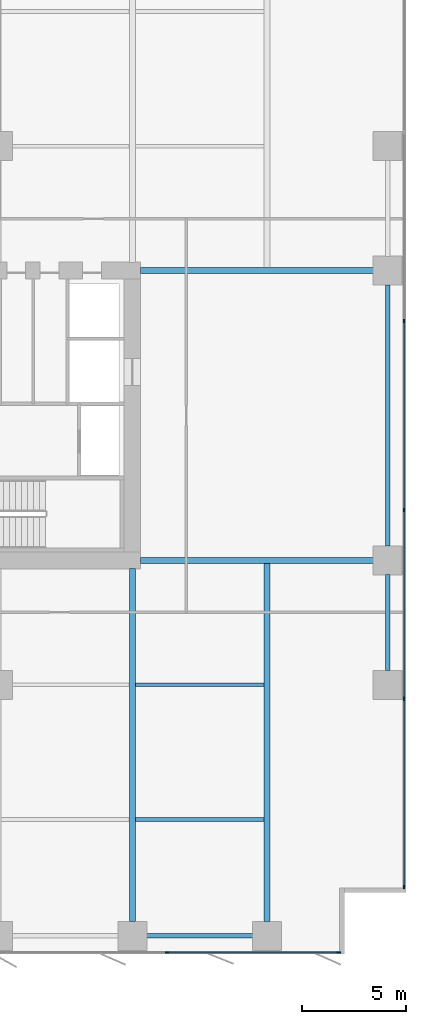
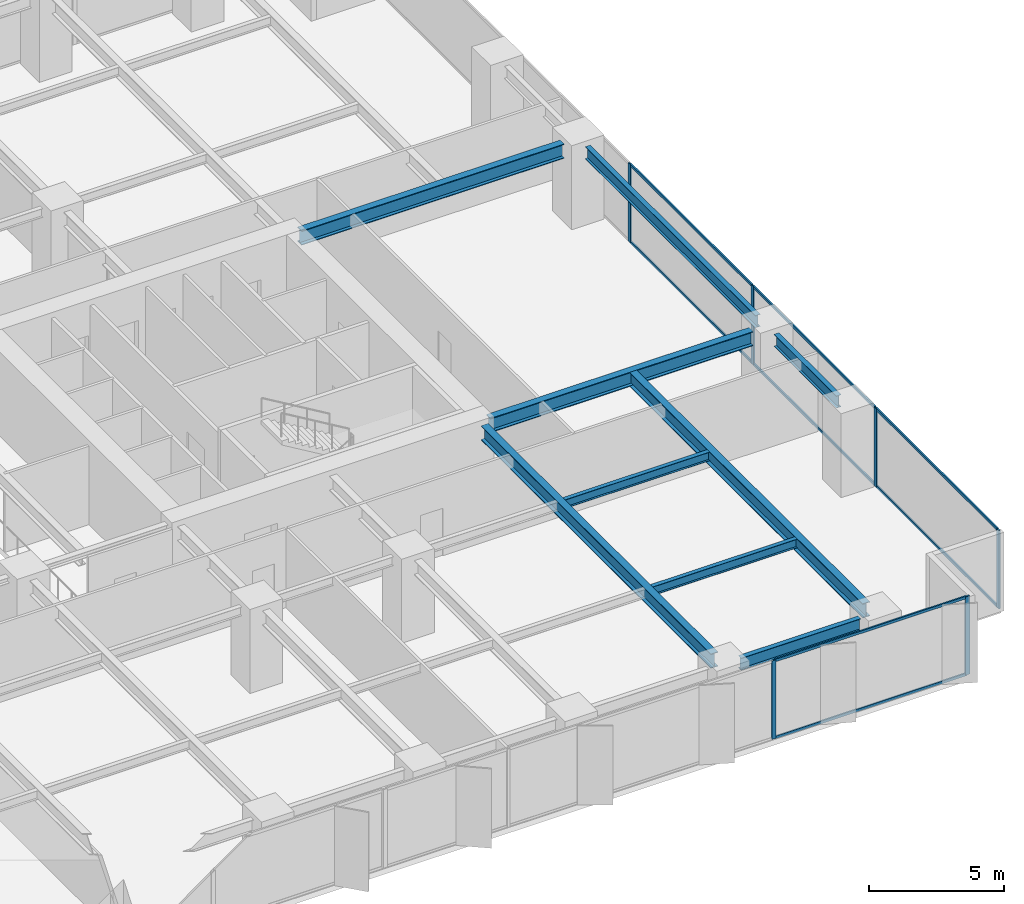
# One storey, part 10 of 21: 14 members, 9 beams, 2 elements without a shape of their own.
"""IFC4 building model written with IfcOpenShell, lengths in metres."""

from ifc_helpers import new_model, si_unit, direction, frame, origin, origin_2d, place, context, subcontext, project, spatial, rectangle, i_section, extrude, material, layer, layer_set, material_profile, profile_set, type_object, element, aggregate, save


model = new_model("IFC4")

# Units and contexts
model_context = context("Model", 3, precision=1e-05, world=origin(), true_north=direction((0.0, 1.0)))
body_context = subcontext(model_context, "Body", "Model", "MODEL_VIEW")
ifc_project = project(units=[si_unit("LENGTHUNIT", "METRE"), si_unit("AREAUNIT", "SQUARE_METRE"), si_unit("VOLUMEUNIT", "CUBIC_METRE"), si_unit("PLANEANGLEUNIT", "RADIAN"), si_unit("MASSUNIT", "GRAM", prefix="KILO")], contexts=[model_context])

# Site, building, storey
site_placement = place(None, origin())
site = spatial("IfcSite", under=ifc_project, at=site_placement, CompositionType="ELEMENT")
building_placement = place(site_placement, origin())
building = spatial("IfcBuilding", under=site, at=building_placement, Name="Putna Gate Headquarters", CompositionType="ELEMENT")
storey_placement = place(building_placement, frame((0.0, 0.0, 39.199951171875)))
storey = spatial("IfcBuildingStorey", under=building, at=storey_placement, Name="L08", CompositionType="ELEMENT", Elevation=39.199951171875)

# Beams
ifc_material_1 = material(Name="Steel S355J2", Category="steel")
ifc_material_profile_1 = material_profile(ifc_material_1, i_section(OverallWidth=0.300048828125, OverallDepth=0.64990234375, WebThickness=0.01611328125, FlangeThickness=0.031005859375, at=origin_2d()), Name="Steel S355J2")
ifc_profile_set_1 = profile_set([ifc_material_profile_1], Name="Steel S355J2")
beam_type_1 = type_object("IfcBeamType", Name="BM-GIRD-Z1-HEB650", PredefinedType="USERDEFINED", material=ifc_profile_set_1)
for number, where, z_axis, x_axis, name in (
    (1, (65.385009765625, 19.0, 3.22509765625), (1.0, 0.0, 0.0), (0.0, 1.0, 0.0), "L08 East Wing Girder Y19"),
    (2, (65.385009765625, 33.0, 3.22509765625), (1.0, 0.0, 0.0), (0.0, 1.0, 0.0), "L08 East Wing Girder Y33"),
):
    element("IfcBeam", number, at=place(storey_placement, frame(where, z_axis=z_axis, x_axis=x_axis)), inside=storey, type_object=beam_type_1, Name=name, ObjectType="GIRDER", PredefinedType="USERDEFINED", context=body_context, shape_type="SweptSolid", body=[
        extrude(i_section(OverallWidth=0.300048828125, OverallDepth=0.64990234375, WebThickness=0.01611328125, FlangeThickness=0.031005859375, at=origin_2d()), origin(), (0.0, 0.0, 1.0), 11.2470703125),
    ])
beam_1_placement = place(storey_placement, frame((65.0, 1.568115234375, 3.22509765625), z_axis=(0.0, 1.0, 0.0), x_axis=(-1.0, 0.0, 0.0)))
element("IfcBeam", 3, at=beam_1_placement, inside=storey, type_object=beam_type_1, Name="L08 South Primary Girder X65", ObjectType="GIRDER", PredefinedType="USERDEFINED", context=body_context, shape_type="SweptSolid", body=[
    extrude(i_section(OverallWidth=0.300048828125, OverallDepth=0.64990234375, WebThickness=0.01611328125, FlangeThickness=0.031005859375, at=origin_2d()), origin(), (0.0, 0.0, 1.0), 17.046875),
])
beam_2_placement = place(storey_placement, frame((71.5, 1.568115234375, 3.22509765625), z_axis=(0.0, 1.0, 0.0), x_axis=(-1.0, 0.0, 0.0)))
element("IfcBeam", 4, at=beam_2_placement, inside=storey, type_object=beam_type_1, Name="L08 South Primary Girder X71", ObjectType="GIRDER", PredefinedType="USERDEFINED", context=body_context, shape_type="SweptSolid", body=[
    extrude(i_section(OverallWidth=0.300048828125, OverallDepth=0.64990234375, WebThickness=0.01611328125, FlangeThickness=0.031005859375, at=origin_2d()), origin(), (0.0, 0.0, 1.0), 17.419921875),
])
ifc_material_profile_2 = material_profile(ifc_material_1, i_section(OverallWidth=0.179931640625, OverallDepth=0.39990234375, WebThickness=0.008544921875, FlangeThickness=0.013427734375, at=origin_2d()), Name="Steel S355J2")
ifc_profile_set_2 = profile_set([ifc_material_profile_2], Name="Steel S355J2")
beam_type_2 = type_object("IfcBeamType", Name="BM-SEC-Z1-IPE400", PredefinedType="BEAM", material=ifc_profile_set_2)
for number, where, z_axis, x_axis, name in (
    (5, (65.154052734375, 6.5, 3.35009765625), (1.0, 0.0, 0.0), (0.0, 1.0, 0.0), "L08 South Secondary Beam 10"),
    (6, (65.154052734375, 13.0, 3.35009765625), (1.0, 0.0, 0.0), (0.0, 1.0, 0.0), "L08 South Secondary Beam 10"),
):
    element("IfcBeam", number, at=place(storey_placement, frame(where, z_axis=z_axis, x_axis=x_axis)), inside=storey, type_object=beam_type_2, Name=name, PredefinedType="BEAM", context=body_context, shape_type="SweptSolid", body=[
        extrude(i_section(OverallWidth=0.179931640625, OverallDepth=0.39990234375, WebThickness=0.008544921875, FlangeThickness=0.013427734375, at=origin_2d()), origin(), (0.0, 0.0, 1.0), 6.19189453125),
    ])
ifc_material_profile_3 = material_profile(ifc_material_1, i_section(OverallWidth=0.2099609375, OverallDepth=0.550048828125, WebThickness=0.010986328125, FlangeThickness=0.01708984375, at=origin_2d()), Name="Steel S355J2")
ifc_profile_set_3 = profile_set([ifc_material_profile_3], Name="Steel S355J2")
beam_type_3 = type_object("IfcBeamType", Name="BM-SPAN-Z1-IPE550", PredefinedType="SPANDREL", material=ifc_profile_set_3)
beam_3_placement = place(storey_placement, frame((65.68798828125, 0.8798828125, 3.275146484375), z_axis=(1.0, 0.0, 0.0), x_axis=(0.0, 1.0, 0.0)))
element("IfcBeam", 7, at=beam_3_placement, inside=storey, type_object=beam_type_3, Name="L08 S Perimeter Spandrel 10", PredefinedType="SPANDREL", context=body_context, shape_type="SweptSolid", body=[
    extrude(i_section(OverallWidth=0.2099609375, OverallDepth=0.550048828125, WebThickness=0.010986328125, FlangeThickness=0.01708984375, at=origin_2d()), origin(), (0.0, 0.0, 1.0), 5.1240234375),
])
beam_4_placement = place(storey_placement, frame((77.320068359375, 13.68798828125, 3.275146484375), z_axis=(0.0, 1.0, 0.0), x_axis=(-1.0, 0.0, 0.0)))
element("IfcBeam", 8, at=beam_4_placement, inside=storey, type_object=beam_type_3, Name="L08 E End Spandrel 1", PredefinedType="SPANDREL", context=body_context, shape_type="SweptSolid", body=[
    extrude(i_section(OverallWidth=0.2099609375, OverallDepth=0.550048828125, WebThickness=0.010986328125, FlangeThickness=0.01708984375, at=origin_2d()), origin(), (0.0, 0.0, 1.0), 4.6240234375),
])
beam_5_placement = place(storey_placement, frame((77.320068359375, 19.68798828125, 3.275146484375), z_axis=(0.0, 1.0, 0.0), x_axis=(-1.0, 0.0, 0.0)))
element("IfcBeam", 9, at=beam_5_placement, inside=storey, type_object=beam_type_3, Name="L08 E End Spandrel 2", PredefinedType="SPANDREL", context=body_context, shape_type="SweptSolid", body=[
    extrude(i_section(OverallWidth=0.2099609375, OverallDepth=0.550048828125, WebThickness=0.010986328125, FlangeThickness=0.01708984375, at=origin_2d()), origin(), (0.0, 0.0, 1.0), 12.6240234375),
])

# Curtain wall, members
ifc_material_2 = material(Name="Anodised bronze aluminium curtain wall", Category="aluminium")
ifc_layer = layer(ifc_material_2, 0.179931640625)
ifc_layer_set = layer_set([ifc_layer], Name="Anodised bronze aluminium curtain wall")
curtain_wall_type = type_object("IfcCurtainWallType", Name="CW-SYS-Z1", PredefinedType="USERDEFINED", material=ifc_layer_set)
curtain_wall_1_placement = place(storey_placement, origin())
curtain_wall_1 = element("IfcCurtainWall", 10, at=curtain_wall_1_placement, inside=storey, type_object=curtain_wall_type, Name="L08 South East Curtain Wall", ObjectType="STICK CURTAIN WALL", PredefinedType="USERDEFINED")
ifc_material_3 = material(Name="Anodised bronze aluminium EN AW-6060", Category="aluminium")
ifc_material_profile_4 = material_profile(ifc_material_3, rectangle(XDim=0.070068359375, YDim=0.179931640625, at=origin_2d()), Name="Anodised bronze aluminium EN AW-6060")
ifc_profile_set_4 = profile_set([ifc_material_profile_4], Name="Anodised bronze aluminium EN AW-6060")
member_type_1 = type_object("IfcMemberType", Name="MULL-CWM-1", PredefinedType="MULLION", material=ifc_profile_set_4)
member_1_placement = place(storey_placement, frame((66.666748046875, 0.080078125, 0.0), z_axis=(0.0, 0.0, 1.0), x_axis=(0.0, 1.0, 0.0)))
member_1 = element("IfcMember", 11, at=member_1_placement, type_object=member_type_1, Name="CWS-1 mullion 3", PredefinedType="MULLION", context=body_context, shape_type="SweptSolid", body=[
    extrude(rectangle(XDim=0.070068359375, YDim=0.179931640625, at=origin_2d()), origin(), (0.0, 0.0, 1.0), 3.550048828125),
])
member_2_placement = place(storey_placement, frame((74.965087890625, 0.080078125, 0.0), z_axis=(0.0, 0.0, 1.0), x_axis=(0.0, 1.0, 0.0)))
member_2 = element("IfcMember", 12, at=member_2_placement, type_object=member_type_1, Name="CWS-1 mullion 4", PredefinedType="MULLION", context=body_context, shape_type="SweptSolid", body=[
    extrude(rectangle(XDim=0.070068359375, YDim=0.179931640625, at=origin_2d()), origin(), (0.0, 0.0, 1.0), 3.550048828125),
])

curtain_wall_2_placement = place(storey_placement, origin())
curtain_wall_2 = element("IfcCurtainWall", 13, at=curtain_wall_2_placement, inside=storey, type_object=curtain_wall_type, Name="L08 East Curtain Wall", ObjectType="STICK CURTAIN WALL", PredefinedType="USERDEFINED")
member_3_placement = place(storey_placement, frame((78.1201171875, 3.235107421875, 0.0), z_axis=(0.0, 0.0, 1.0), x_axis=(-1.0, 0.0, 0.0)))
member_3 = element("IfcMember", 14, at=member_3_placement, type_object=member_type_1, Name="CWS-1 mullion 1", PredefinedType="MULLION", context=body_context, shape_type="SweptSolid", body=[
    extrude(rectangle(XDim=0.070068359375, YDim=0.179931640625, at=origin_2d()), origin(), (0.0, 0.0, 1.0), 3.550048828125),
])
member_4_placement = place(storey_placement, frame((78.1201171875, 12.320068359375, 0.0), z_axis=(0.0, 0.0, 1.0), x_axis=(-1.0, 0.0, 0.0)))
member_4 = element("IfcMember", 15, at=member_4_placement, type_object=member_type_1, Name="CWS-1 mullion 2", PredefinedType="MULLION", context=body_context, shape_type="SweptSolid", body=[
    extrude(rectangle(XDim=0.070068359375, YDim=0.179931640625, at=origin_2d()), origin(), (0.0, 0.0, 1.0), 3.550048828125),
])
member_5_placement = place(storey_placement, frame((78.1201171875, 21.43994140625, 0.0), z_axis=(0.0, 0.0, 1.0), x_axis=(-1.0, 0.0, 0.0)))
member_5 = element("IfcMember", 16, at=member_5_placement, type_object=member_type_1, Name="CWS-1 mullion 3", PredefinedType="MULLION", context=body_context, shape_type="SweptSolid", body=[
    extrude(rectangle(XDim=0.070068359375, YDim=0.179931640625, at=origin_2d()), origin(), (0.0, 0.0, 1.0), 3.550048828125),
])
member_6_placement = place(storey_placement, frame((78.1201171875, 30.56005859375, 0.0), z_axis=(0.0, 0.0, 1.0), x_axis=(-1.0, 0.0, 0.0)))
member_6 = element("IfcMember", 17, at=member_6_placement, type_object=member_type_1, Name="CWS-1 mullion 4", PredefinedType="MULLION", context=body_context, shape_type="SweptSolid", body=[
    extrude(rectangle(XDim=0.070068359375, YDim=0.179931640625, at=origin_2d()), origin(), (0.0, 0.0, 1.0), 3.550048828125),
])

# Member
ifc_material_profile_5 = material_profile(ifc_material_3, rectangle(XDim=0.06494140625, YDim=0.1201171875, at=origin_2d()), Name="Anodised bronze aluminium EN AW-6060")
ifc_profile_set_5 = profile_set([ifc_material_profile_5], Name="Anodised bronze aluminium EN AW-6060")
member_type_2 = type_object("IfcMemberType", Name="TRAN-CWT-1", PredefinedType="USERDEFINED", material=ifc_profile_set_5)
member_7_placement = place(storey_placement, frame((66.70166015625, 0.080078125, 0.032470703125), z_axis=(1.0, 0.0, 0.0), x_axis=(0.0, 1.0, 0.0)))
member_7 = element("IfcMember", 18, at=member_7_placement, type_object=member_type_2, Name="CWS-1 transom 3.1", ObjectType="TRANSOM", PredefinedType="USERDEFINED", context=body_context, shape_type="SweptSolid", body=[
    extrude(rectangle(XDim=0.06494140625, YDim=0.1201171875, at=origin_2d()), origin(), (0.0, 0.0, 1.0), 8.228271484375),
])

member_8_placement = place(storey_placement, frame((66.70166015625, 0.080078125, 3.517578125), z_axis=(1.0, 0.0, 0.0), x_axis=(0.0, 1.0, 0.0)))
member_8 = element("IfcMember", 19, at=member_8_placement, type_object=member_type_2, Name="CWS-1 transom 3.2", ObjectType="TRANSOM", PredefinedType="USERDEFINED", context=body_context, shape_type="SweptSolid", body=[
    extrude(rectangle(XDim=0.06494140625, YDim=0.1201171875, at=origin_2d()), origin(), (0.0, 0.0, 1.0), 8.228271484375),
])

aggregate(curtain_wall_1, [member_1, member_2, member_7, member_8])

member_9_placement = place(storey_placement, frame((78.1201171875, 3.27001953125, 0.032470703125), z_axis=(0.0, 1.0, 0.0), x_axis=(-1.0, 0.0, 0.0)))
member_9 = element("IfcMember", 20, at=member_9_placement, type_object=member_type_2, Name="CWS-1 transom 1.1", ObjectType="TRANSOM", PredefinedType="USERDEFINED", context=body_context, shape_type="SweptSolid", body=[
    extrude(rectangle(XDim=0.06494140625, YDim=0.1201171875, at=origin_2d()), origin(), (0.0, 0.0, 1.0), 9.014892578125),
])

member_10_placement = place(storey_placement, frame((78.1201171875, 3.27001953125, 3.517578125), z_axis=(0.0, 1.0, 0.0), x_axis=(-1.0, 0.0, 0.0)))
member_10 = element("IfcMember", 21, at=member_10_placement, type_object=member_type_2, Name="CWS-1 transom 1.2", ObjectType="TRANSOM", PredefinedType="USERDEFINED", context=body_context, shape_type="SweptSolid", body=[
    extrude(rectangle(XDim=0.06494140625, YDim=0.1201171875, at=origin_2d()), origin(), (0.0, 0.0, 1.0), 9.014892578125),
])

member_11_placement = place(storey_placement, frame((78.1201171875, 12.35498046875, 0.032470703125), z_axis=(0.0, 1.0, 0.0), x_axis=(-1.0, 0.0, 0.0)))
member_11 = element("IfcMember", 22, at=member_11_placement, type_object=member_type_2, Name="CWS-1 transom 2.1", ObjectType="TRANSOM", PredefinedType="USERDEFINED", context=body_context, shape_type="SweptSolid", body=[
    extrude(rectangle(XDim=0.06494140625, YDim=0.1201171875, at=origin_2d()), origin(), (0.0, 0.0, 1.0), 9.050048828125),
])

member_12_placement = place(storey_placement, frame((78.1201171875, 12.35498046875, 3.517578125), z_axis=(0.0, 1.0, 0.0), x_axis=(-1.0, 0.0, 0.0)))
member_12 = element("IfcMember", 23, at=member_12_placement, type_object=member_type_2, Name="CWS-1 transom 2.2", ObjectType="TRANSOM", PredefinedType="USERDEFINED", context=body_context, shape_type="SweptSolid", body=[
    extrude(rectangle(XDim=0.06494140625, YDim=0.1201171875, at=origin_2d()), origin(), (0.0, 0.0, 1.0), 9.050048828125),
])

member_13_placement = place(storey_placement, frame((78.1201171875, 21.47509765625, 0.032470703125), z_axis=(0.0, 1.0, 0.0), x_axis=(-1.0, 0.0, 0.0)))
member_13 = element("IfcMember", 24, at=member_13_placement, type_object=member_type_2, Name="CWS-1 transom 3.1", ObjectType="TRANSOM", PredefinedType="USERDEFINED", context=body_context, shape_type="SweptSolid", body=[
    extrude(rectangle(XDim=0.06494140625, YDim=0.1201171875, at=origin_2d()), origin(), (0.0, 0.0, 1.0), 9.0498046875),
])

member_14_placement = place(storey_placement, frame((78.1201171875, 21.47509765625, 3.517578125), z_axis=(0.0, 1.0, 0.0), x_axis=(-1.0, 0.0, 0.0)))
member_14 = element("IfcMember", 25, at=member_14_placement, type_object=member_type_2, Name="CWS-1 transom 3.2", ObjectType="TRANSOM", PredefinedType="USERDEFINED", context=body_context, shape_type="SweptSolid", body=[
    extrude(rectangle(XDim=0.06494140625, YDim=0.1201171875, at=origin_2d()), origin(), (0.0, 0.0, 1.0), 9.0498046875),
])

aggregate(curtain_wall_2, [member_3, member_4, member_5, member_6, member_9, member_10, member_11, member_12, member_13, member_14])

save(model, "model.ifc")
